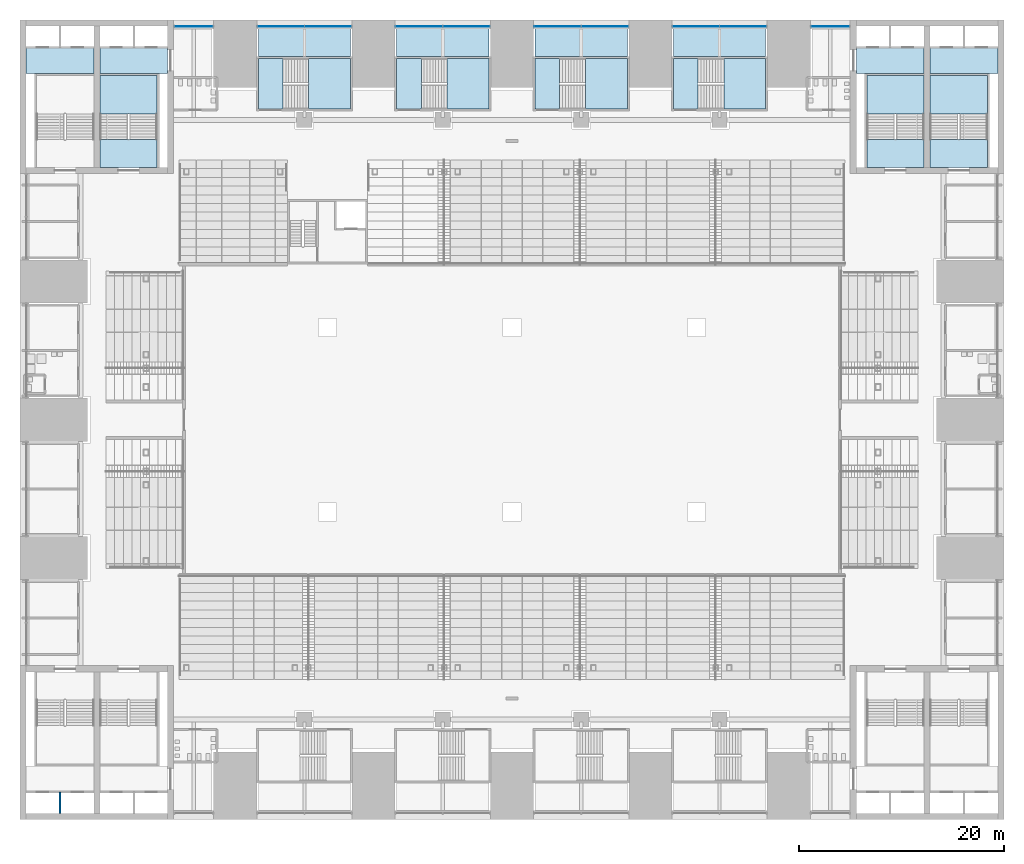
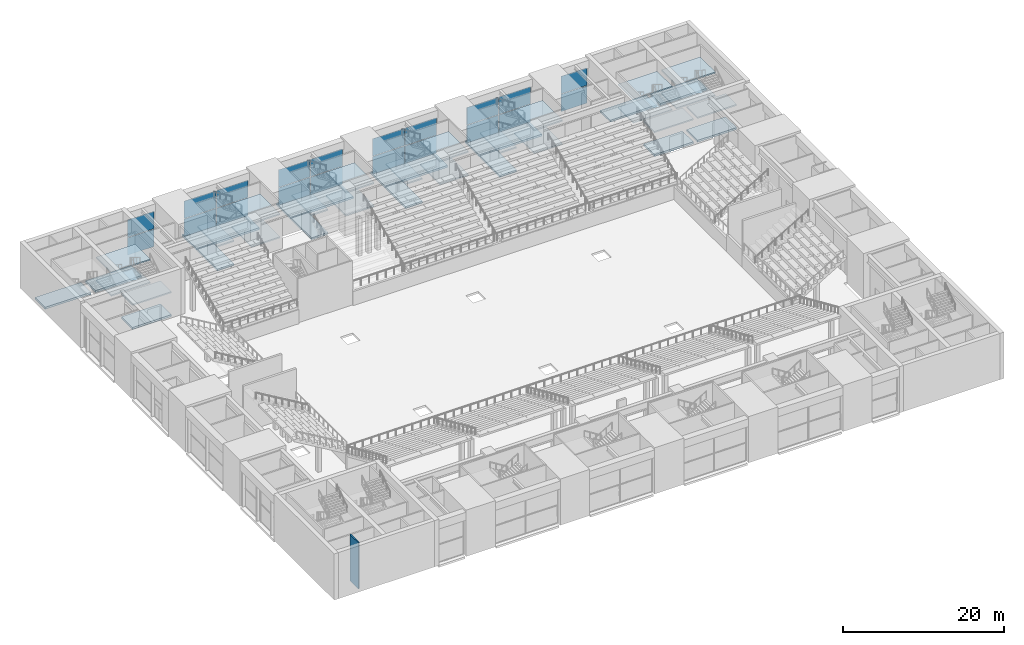
# One storey, part 34 of 62: 36 slabs, 20 plates, 1 wall, 13 elements without a shape of their own.
"""IFC4 building model written with IfcOpenShell, lengths in metres."""

from ifc_helpers import new_model, si_unit, direction, frame, frame_2d, origin, origin_2d, place, context, subcontext, project, spatial, polyline, rectangle, outline, extrude, material, layer, layer_set, type_object, element, aggregate, save


model = new_model("IFC4")

# Units and contexts
model_context = context("Model", 3, precision=1e-05, world=origin(), true_north=direction((0.0, 1.0)))
body_context = subcontext(model_context, "Body", "Model", "MODEL_VIEW")
ifc_project = project(units=[si_unit("LENGTHUNIT", "METRE"), si_unit("AREAUNIT", "SQUARE_METRE"), si_unit("VOLUMEUNIT", "CUBIC_METRE"), si_unit("PLANEANGLEUNIT", "RADIAN"), si_unit("MASSUNIT", "GRAM", prefix="KILO")], contexts=[model_context])

# Site, building, storey
site_placement = place(None, origin())
site = spatial("IfcSite", under=ifc_project, at=site_placement, CompositionType="ELEMENT")
building_placement = place(site_placement, origin())
building = spatial("IfcBuilding", under=site, at=building_placement, Name="Corbelhall Arena Tower", CompositionType="ELEMENT")
storey_placement = place(building_placement, frame((0.0, 0.0, 12.0)))
storey = spatial("IfcBuildingStorey", under=building, at=storey_placement, Name="L01", CompositionType="ELEMENT", Elevation=12.0)

# Stair, slabs
ifc_material_1 = material(Name="Reinforced concrete C40/50", Category="concrete")
stair_type = type_object("IfcStairType", Name="AR-EXIT-STAIR", PredefinedType="HALF_TURN_STAIR", material=ifc_material_1)
stair_1_placement = place(storey_placement, origin())
stair_1 = element("IfcStair", 1, at=stair_1_placement, inside=storey, type_object=stair_type, Name="L01 exit stair AS9", PredefinedType="HALF_TURN_STAIR")
ifc_layer_1 = layer(ifc_material_1, 0.199951171875)
ifc_layer_set_1 = layer_set([ifc_layer_1], Name="AR-EXIT-LANDING")
slab_type_1 = type_object("IfcSlabType", Name="AR-EXIT-LANDING", PredefinedType="LANDING", material=ifc_layer_set_1)
slab_1_placement = place(storey_placement, frame((0.0, 0.0, 1.550048828125)))
slab_1 = element("IfcSlab", 2, at=slab_1_placement, type_object=slab_type_1, Name="AS9 landing 1", PredefinedType="LANDING", context=body_context, shape_type="SweptSolid", body=[
    extrude(outline(polyline([(-19.830078125, 30.300048828125), (-15.75, 30.300048828125), (-15.75, 35.25), (-19.830078125, 35.25), (-19.830078125, 30.300048828125)])), origin(), (0.0, 0.0, 1.0), 0.199951171875),
])
slab_2_placement = place(storey_placement, frame((0.0, 0.0, 3.300048828125)))
slab_2 = element("IfcSlab", 3, at=slab_2_placement, type_object=slab_type_1, Name="AS9 landing 2", PredefinedType="LANDING", context=body_context, shape_type="SweptSolid", body=[
    extrude(outline(polyline([(-24.75, 30.300048828125), (-22.35009765625, 30.300048828125), (-22.35009765625, 35.25), (-24.75, 35.25), (-24.75, 30.300048828125)])), origin(), (0.0, 0.0, 1.0), 0.199951171875),
])
slab_3_placement = place(storey_placement, frame((0.0, 0.0, 5.050048828125)))
slab_3 = element("IfcSlab", 4, at=slab_3_placement, type_object=slab_type_1, Name="AS9 landing 3", PredefinedType="LANDING", context=body_context, shape_type="SweptSolid", body=[
    extrude(outline(polyline([(-19.830078125, 30.300048828125), (-15.75, 30.300048828125), (-15.75, 35.25), (-19.830078125, 35.25), (-19.830078125, 30.300048828125)])), origin(), (0.0, 0.0, 1.0), 0.199951171875),
])
aggregate(stair_1, [slab_1, slab_2, slab_3])

stair_2_placement = place(storey_placement, origin())
stair_2 = element("IfcStair", 5, at=stair_2_placement, inside=storey, type_object=stair_type, Name="L01 exit stair AS10", PredefinedType="HALF_TURN_STAIR")
slab_4_placement = place(storey_placement, frame((0.0, 0.0, 1.550048828125)))
slab_4 = element("IfcSlab", 6, at=slab_4_placement, type_object=slab_type_1, Name="AS10 landing 1", PredefinedType="LANDING", context=body_context, shape_type="SweptSolid", body=[
    extrude(outline(polyline([(-6.330078125, 30.300048828125), (-2.25, 30.300048828125), (-2.25, 35.25), (-6.330078125, 35.25), (-6.330078125, 30.300048828125)])), origin(), (0.0, 0.0, 1.0), 0.199951171875),
])
slab_5_placement = place(storey_placement, frame((0.0, 0.0, 3.300048828125)))
slab_5 = element("IfcSlab", 7, at=slab_5_placement, type_object=slab_type_1, Name="AS10 landing 2", PredefinedType="LANDING", context=body_context, shape_type="SweptSolid", body=[
    extrude(outline(polyline([(-11.25, 30.300048828125), (-8.85009765625, 30.300048828125), (-8.85009765625, 35.25), (-11.25, 35.25), (-11.25, 30.300048828125)])), origin(), (0.0, 0.0, 1.0), 0.199951171875),
])
slab_6_placement = place(storey_placement, frame((0.0, 0.0, 5.050048828125)))
slab_6 = element("IfcSlab", 8, at=slab_6_placement, type_object=slab_type_1, Name="AS10 landing 3", PredefinedType="LANDING", context=body_context, shape_type="SweptSolid", body=[
    extrude(outline(polyline([(-6.330078125, 30.300048828125), (-2.25, 30.300048828125), (-2.25, 35.25), (-6.330078125, 35.25), (-6.330078125, 30.300048828125)])), origin(), (0.0, 0.0, 1.0), 0.199951171875),
])
aggregate(stair_2, [slab_4, slab_5, slab_6])

stair_3_placement = place(storey_placement, origin())
stair_3 = element("IfcStair", 9, at=stair_3_placement, inside=storey, type_object=stair_type, Name="L01 exit stair AS11", PredefinedType="HALF_TURN_STAIR")
slab_7_placement = place(storey_placement, frame((0.0, 0.0, 1.550048828125)))
slab_7 = element("IfcSlab", 10, at=slab_7_placement, type_object=slab_type_1, Name="AS11 landing 1", PredefinedType="LANDING", context=body_context, shape_type="SweptSolid", body=[
    extrude(outline(polyline([(7.169921875, 30.300048828125), (11.25, 30.300048828125), (11.25, 35.25), (7.169921875, 35.25), (7.169921875, 30.300048828125)])), origin(), (0.0, 0.0, 1.0), 0.199951171875),
])
slab_8_placement = place(storey_placement, frame((0.0, 0.0, 3.300048828125)))
slab_8 = element("IfcSlab", 11, at=slab_8_placement, type_object=slab_type_1, Name="AS11 landing 2", PredefinedType="LANDING", context=body_context, shape_type="SweptSolid", body=[
    extrude(outline(polyline([(2.25, 30.300048828125), (4.64990234375, 30.300048828125), (4.64990234375, 35.25), (2.25, 35.25), (2.25, 30.300048828125)])), origin(), (0.0, 0.0, 1.0), 0.199951171875),
])
slab_9_placement = place(storey_placement, frame((0.0, 0.0, 5.050048828125)))
slab_9 = element("IfcSlab", 12, at=slab_9_placement, type_object=slab_type_1, Name="AS11 landing 3", PredefinedType="LANDING", context=body_context, shape_type="SweptSolid", body=[
    extrude(outline(polyline([(7.169921875, 30.300048828125), (11.25, 30.300048828125), (11.25, 35.25), (7.169921875, 35.25), (7.169921875, 30.300048828125)])), origin(), (0.0, 0.0, 1.0), 0.199951171875),
])
aggregate(stair_3, [slab_7, slab_8, slab_9])

stair_4_placement = place(storey_placement, origin())
stair_4 = element("IfcStair", 13, at=stair_4_placement, inside=storey, type_object=stair_type, Name="L01 exit stair AS12", PredefinedType="HALF_TURN_STAIR")
slab_10_placement = place(storey_placement, frame((0.0, 0.0, 1.550048828125)))
slab_10 = element("IfcSlab", 14, at=slab_10_placement, type_object=slab_type_1, Name="AS12 landing 1", PredefinedType="LANDING", context=body_context, shape_type="SweptSolid", body=[
    extrude(outline(polyline([(20.669921875, 30.300048828125), (24.75, 30.300048828125), (24.75, 35.25), (20.669921875, 35.25), (20.669921875, 30.300048828125)])), origin(), (0.0, 0.0, 1.0), 0.199951171875),
])
slab_11_placement = place(storey_placement, frame((0.0, 0.0, 3.300048828125)))
slab_11 = element("IfcSlab", 15, at=slab_11_placement, type_object=slab_type_1, Name="AS12 landing 2", PredefinedType="LANDING", context=body_context, shape_type="SweptSolid", body=[
    extrude(outline(polyline([(15.75, 30.300048828125), (18.14990234375, 30.300048828125), (18.14990234375, 35.25), (15.75, 35.25), (15.75, 30.300048828125)])), origin(), (0.0, 0.0, 1.0), 0.199951171875),
])
slab_12_placement = place(storey_placement, frame((0.0, 0.0, 5.050048828125)))
slab_12 = element("IfcSlab", 16, at=slab_12_placement, type_object=slab_type_1, Name="AS12 landing 3", PredefinedType="LANDING", context=body_context, shape_type="SweptSolid", body=[
    extrude(outline(polyline([(20.669921875, 30.300048828125), (24.75, 30.300048828125), (24.75, 35.25), (20.669921875, 35.25), (20.669921875, 30.300048828125)])), origin(), (0.0, 0.0, 1.0), 0.199951171875),
])
aggregate(stair_4, [slab_10, slab_11, slab_12])

stair_5_placement = place(storey_placement, origin())
stair_5 = element("IfcStair", 17, at=stair_5_placement, inside=storey, type_object=stair_type, Name="L01 exit stair AS1", PredefinedType="HALF_TURN_STAIR")
slab_13_placement = place(storey_placement, frame((0.0, 0.0, 1.550048828125)))
slab_13 = element("IfcSlab", 18, at=slab_13_placement, type_object=slab_type_1, Name="AS1 landing 1", PredefinedType="LANDING", context=body_context, shape_type="SweptSolid", body=[
    extrude(outline(polyline([(40.199951171875, 29.840087890625), (40.199951171875, 33.60009765625), (34.610107421875, 33.60009765625), (34.610107421875, 29.840087890625), (40.199951171875, 29.840087890625)])), origin(), (0.0, 0.0, 1.0), 0.199951171875),
])
slab_14_placement = place(storey_placement, frame((0.0, 0.0, 3.300048828125)))
slab_14 = element("IfcSlab", 19, at=slab_14_placement, type_object=slab_type_1, Name="AS1 landing 2", PredefinedType="LANDING", context=body_context, shape_type="SweptSolid", body=[
    extrude(outline(polyline([(40.199951171875, 24.60009765625), (40.199951171875, 27.320068359375), (34.610107421875, 27.320068359375), (34.610107421875, 24.60009765625), (40.199951171875, 24.60009765625)])), origin(), (0.0, 0.0, 1.0), 0.199951171875),
])
slab_15_placement = place(storey_placement, frame((0.0, 0.0, 5.050048828125)))
slab_15 = element("IfcSlab", 20, at=slab_15_placement, type_object=slab_type_1, Name="AS1 landing 3", PredefinedType="LANDING", context=body_context, shape_type="SweptSolid", body=[
    extrude(outline(polyline([(40.199951171875, 29.840087890625), (40.199951171875, 33.60009765625), (34.610107421875, 33.60009765625), (34.610107421875, 29.840087890625), (40.199951171875, 29.840087890625)])), origin(), (0.0, 0.0, 1.0), 0.199951171875),
])
aggregate(stair_5, [slab_13, slab_14, slab_15])

stair_6_placement = place(storey_placement, origin())
stair_6 = element("IfcStair", 21, at=stair_6_placement, inside=storey, type_object=stair_type, Name="L01 exit stair AS2", PredefinedType="HALF_TURN_STAIR")
slab_16_placement = place(storey_placement, frame((0.0, 0.0, 1.550048828125)))
slab_16 = element("IfcSlab", 22, at=slab_16_placement, type_object=slab_type_1, Name="AS2 landing 1", PredefinedType="LANDING", context=body_context, shape_type="SweptSolid", body=[
    extrude(outline(polyline([(46.389892578125, 29.840087890625), (46.389892578125, 33.60009765625), (40.800048828125, 33.60009765625), (40.800048828125, 29.840087890625), (46.389892578125, 29.840087890625)])), origin(), (0.0, 0.0, 1.0), 0.199951171875),
])
slab_17_placement = place(storey_placement, frame((0.0, 0.0, 3.300048828125)))
slab_17 = element("IfcSlab", 23, at=slab_17_placement, type_object=slab_type_1, Name="AS2 landing 2", PredefinedType="LANDING", context=body_context, shape_type="SweptSolid", body=[
    extrude(outline(polyline([(46.389892578125, 24.60009765625), (46.389892578125, 27.320068359375), (40.800048828125, 27.320068359375), (40.800048828125, 24.60009765625), (46.389892578125, 24.60009765625)])), origin(), (0.0, 0.0, 1.0), 0.199951171875),
])
slab_18_placement = place(storey_placement, frame((0.0, 0.0, 5.050048828125)))
slab_18 = element("IfcSlab", 24, at=slab_18_placement, type_object=slab_type_1, Name="AS2 landing 3", PredefinedType="LANDING", context=body_context, shape_type="SweptSolid", body=[
    extrude(outline(polyline([(46.389892578125, 29.840087890625), (46.389892578125, 33.60009765625), (40.800048828125, 33.60009765625), (40.800048828125, 29.840087890625), (46.389892578125, 29.840087890625)])), origin(), (0.0, 0.0, 1.0), 0.199951171875),
])
aggregate(stair_6, [slab_16, slab_17, slab_18])

stair_7_placement = place(storey_placement, origin())
stair_7 = element("IfcStair", 25, at=stair_7_placement, inside=storey, type_object=stair_type, Name="L01 exit stair AS3", PredefinedType="HALF_TURN_STAIR")
slab_19_placement = place(storey_placement, frame((0.0, 0.0, 1.550048828125)))
slab_19 = element("IfcSlab", 26, at=slab_19_placement, type_object=slab_type_1, Name="AS3 landing 1", PredefinedType="LANDING", context=body_context, shape_type="SweptSolid", body=[
    extrude(outline(polyline([(-34.610107421875, 29.840087890625), (-34.610107421875, 33.60009765625), (-40.199951171875, 33.60009765625), (-40.199951171875, 29.840087890625), (-34.610107421875, 29.840087890625)])), origin(), (0.0, 0.0, 1.0), 0.199951171875),
])
slab_20_placement = place(storey_placement, frame((0.0, 0.0, 3.300048828125)))
slab_20 = element("IfcSlab", 27, at=slab_20_placement, type_object=slab_type_1, Name="AS3 landing 2", PredefinedType="LANDING", context=body_context, shape_type="SweptSolid", body=[
    extrude(outline(polyline([(-34.610107421875, 24.60009765625), (-34.610107421875, 27.320068359375), (-40.199951171875, 27.320068359375), (-40.199951171875, 24.60009765625), (-34.610107421875, 24.60009765625)])), origin(), (0.0, 0.0, 1.0), 0.199951171875),
])
slab_21_placement = place(storey_placement, frame((0.0, 0.0, 5.050048828125)))
slab_21 = element("IfcSlab", 28, at=slab_21_placement, type_object=slab_type_1, Name="AS3 landing 3", PredefinedType="LANDING", context=body_context, shape_type="SweptSolid", body=[
    extrude(outline(polyline([(-34.610107421875, 29.840087890625), (-34.610107421875, 33.60009765625), (-40.199951171875, 33.60009765625), (-40.199951171875, 29.840087890625), (-34.610107421875, 29.840087890625)])), origin(), (0.0, 0.0, 1.0), 0.199951171875),
])
aggregate(stair_7, [slab_19, slab_20, slab_21])

# Slabs
ifc_layer_2 = layer(ifc_material_1, 0.300048828125)
ifc_layer_set_2 = layer_set([ifc_layer_2], Name="AR-STAIR-FLOOR")
slab_type_2 = type_object("IfcSlabType", Name="AR-STAIR-FLOOR", PredefinedType="FLOOR", material=ifc_layer_set_2)
slab_22_placement = place(storey_placement, frame((0.0, 0.0, -0.300048828125)))
element("IfcSlab", 29, at=slab_22_placement, inside=storey, type_object=slab_type_2, Name="Stair AS9 floor", PredefinedType="FLOOR", context=body_context, shape_type="SweptSolid", body=[
    extrude(outline(polyline([(-24.75, 30.300048828125), (-24.75, 35.25), (-22.346923828125, 35.25), (-22.346923828125, 30.300048828125), (-24.75, 30.300048828125)])), origin(), (0.0, 0.0, 1.0), 0.300048828125),
])
slab_23_placement = place(storey_placement, frame((0.0, 0.0, -0.300048828125)))
element("IfcSlab", 30, at=slab_23_placement, inside=storey, type_object=slab_type_2, Name="Stair AS10 floor", PredefinedType="FLOOR", context=body_context, shape_type="SweptSolid", body=[
    extrude(outline(polyline([(-11.25, 30.300048828125), (-11.25, 35.25), (-8.846923828125, 35.25), (-8.846923828125, 30.300048828125), (-11.25, 30.300048828125)])), origin(), (0.0, 0.0, 1.0), 0.300048828125),
])
slab_24_placement = place(storey_placement, frame((0.0, 0.0, -0.300048828125)))
element("IfcSlab", 31, at=slab_24_placement, inside=storey, type_object=slab_type_2, Name="Stair AS11 floor", PredefinedType="FLOOR", context=body_context, shape_type="SweptSolid", body=[
    extrude(outline(polyline([(2.25, 30.300048828125), (2.25, 35.25), (4.653076171875, 35.25), (4.653076171875, 30.300048828125), (2.25, 30.300048828125)])), origin(), (0.0, 0.0, 1.0), 0.300048828125),
])
slab_25_placement = place(storey_placement, frame((0.0, 0.0, -0.300048828125)))
element("IfcSlab", 32, at=slab_25_placement, inside=storey, type_object=slab_type_2, Name="Stair AS12 floor", PredefinedType="FLOOR", context=body_context, shape_type="SweptSolid", body=[
    extrude(outline(polyline([(15.75, 30.300048828125), (15.75, 35.25), (18.153076171875, 35.25), (18.153076171875, 30.300048828125), (15.75, 30.300048828125)])), origin(), (0.0, 0.0, 1.0), 0.300048828125),
])
slab_26_placement = place(storey_placement, frame((0.0, 0.0, -0.300048828125)))
element("IfcSlab", 33, at=slab_26_placement, inside=storey, type_object=slab_type_2, Name="Stair AS1 floor", PredefinedType="FLOOR", context=body_context, shape_type="SweptSolid", body=[
    extrude(outline(polyline([(40.199951171875, 24.60009765625), (34.610107421875, 24.60009765625), (34.610107421875, 27.322998046875), (40.199951171875, 27.322998046875), (40.199951171875, 24.60009765625)])), origin(), (0.0, 0.0, 1.0), 0.300048828125),
])
slab_27_placement = place(storey_placement, frame((0.0, 0.0, -0.300048828125)))
element("IfcSlab", 34, at=slab_27_placement, inside=storey, type_object=slab_type_2, Name="Stair AS2 floor", PredefinedType="FLOOR", context=body_context, shape_type="SweptSolid", body=[
    extrude(outline(polyline([(46.389892578125, 24.60009765625), (40.800048828125, 24.60009765625), (40.800048828125, 27.322998046875), (46.389892578125, 27.322998046875), (46.389892578125, 24.60009765625)])), origin(), (0.0, 0.0, 1.0), 0.300048828125),
])
slab_28_placement = place(storey_placement, frame((0.0, 0.0, -0.300048828125)))
element("IfcSlab", 35, at=slab_28_placement, inside=storey, type_object=slab_type_2, Name="Stair AS3 floor", PredefinedType="FLOOR", context=body_context, shape_type="SweptSolid", body=[
    extrude(outline(polyline([(-34.610107421875, 24.60009765625), (-40.199951171875, 24.60009765625), (-40.199951171875, 27.322998046875), (-34.610107421875, 27.322998046875), (-34.610107421875, 24.60009765625)])), origin(), (0.0, 0.0, 1.0), 0.300048828125),
])
slab_29_placement = place(storey_placement, frame((0.0, 0.0, -0.300048828125)))
element("IfcSlab", 36, at=slab_29_placement, inside=storey, type_object=slab_type_2, Name="Lift lobby floor NE", PredefinedType="FLOOR", context=body_context, shape_type="SweptSolid", body=[
    extrude(outline(polyline([(40.199951171875, 33.800048828125), (40.199951171875, 36.300048828125), (33.60009765625, 36.300048828125), (33.60009765625, 33.800048828125), (40.199951171875, 33.800048828125)])), origin(), (0.0, 0.0, 1.0), 0.300048828125),
])
slab_30_placement = place(storey_placement, frame((0.0, 0.0, -0.300048828125)))
element("IfcSlab", 37, at=slab_30_placement, inside=storey, type_object=slab_type_2, Name="Lift lobby floor NE", PredefinedType="FLOOR", context=body_context, shape_type="SweptSolid", body=[
    extrude(outline(polyline([(47.39990234375, 33.800048828125), (47.39990234375, 36.300048828125), (40.800048828125, 36.300048828125), (40.800048828125, 33.800048828125), (47.39990234375, 33.800048828125)])), origin(), (0.0, 0.0, 1.0), 0.300048828125),
])
slab_31_placement = place(storey_placement, frame((0.0, 0.0, -0.300048828125)))
element("IfcSlab", 38, at=slab_31_placement, inside=storey, type_object=slab_type_2, Name="Lift lobby floor NW", PredefinedType="FLOOR", context=body_context, shape_type="SweptSolid", body=[
    extrude(outline(polyline([(-40.800048828125, 33.800048828125), (-40.800048828125, 36.300048828125), (-47.39990234375, 36.300048828125), (-47.39990234375, 33.800048828125), (-40.800048828125, 33.800048828125)])), origin(), (0.0, 0.0, 1.0), 0.300048828125),
])
slab_32_placement = place(storey_placement, frame((0.0, 0.0, -0.300048828125)))
element("IfcSlab", 39, at=slab_32_placement, inside=storey, type_object=slab_type_2, Name="Lift lobby floor NW", PredefinedType="FLOOR", context=body_context, shape_type="SweptSolid", body=[
    extrude(outline(polyline([(-33.60009765625, 33.800048828125), (-33.60009765625, 36.300048828125), (-40.199951171875, 36.300048828125), (-40.199951171875, 33.800048828125), (-33.60009765625, 33.800048828125)])), origin(), (0.0, 0.0, 1.0), 0.300048828125),
])

# Curtain wall, plates
ifc_material_2 = material(Name="Aluminium black anodised", Category="aluminium")
ifc_layer_3 = layer(ifc_material_2, 0.239990234375)
ifc_layer_set_3 = layer_set([ifc_layer_3], Name="EV-CW4 Arena concourse glazing")
curtain_wall_type = type_object("IfcCurtainWallType", Name="EV-CW4 Arena concourse glazing", PredefinedType="NOTDEFINED", material=ifc_layer_set_3)
curtain_wall_1_placement = place(storey_placement, origin())
curtain_wall_1 = element("IfcCurtainWall", 40, at=curtain_wall_1_placement, inside=storey, type_object=curtain_wall_type, Name="Curtain wall CW4A", PredefinedType="NOTDEFINED")
ifc_material_3 = material(Name="Glass dark tinted laminated", Category="glass")
ifc_layer_4 = layer(ifc_material_3, 0.028076171875)
ifc_layer_set_4 = layer_set([ifc_layer_4], Name="EV-CW4-PANEL")
plate_type = type_object("IfcPlateType", Name="EV-CW4-PANEL", PredefinedType="CURTAIN_PANEL", material=ifc_layer_set_4)
plate_1_placement = place(storey_placement, frame((31.050048828125, 38.3798828125, 0.0751953125), z_axis=(0.0, 0.0, 1.0), x_axis=(-1.0, 0.0, 0.0)))
plate_1 = element("IfcPlate", 41, at=plate_1_placement, type_object=plate_type, Name="CW4A panel 1.1", PredefinedType="CURTAIN_PANEL", context=body_context, shape_type="SweptSolid", body=[
    extrude(rectangle(XDim=3.75, YDim=0.028076171875, at=origin_2d()), origin(), (0.0, 0.0, 1.0), 2.637451171875),
])
plate_2_placement = place(storey_placement, frame((31.050048828125, 38.3798828125, 2.78759765625), z_axis=(0.0, 0.0, 1.0), x_axis=(-1.0, 0.0, 0.0)))
plate_2 = element("IfcPlate", 42, at=plate_2_placement, type_object=plate_type, Name="CW4A panel 1.2", PredefinedType="CURTAIN_PANEL", context=body_context, shape_type="SweptSolid", body=[
    extrude(rectangle(XDim=3.75, YDim=0.028076171875, at=origin_2d()), origin(), (0.0, 0.0, 1.0), 2.637451171875),
])
aggregate(curtain_wall_1, [plate_1, plate_2])

curtain_wall_2_placement = place(storey_placement, origin())
curtain_wall_2 = element("IfcCurtainWall", 43, at=curtain_wall_2_placement, inside=storey, type_object=curtain_wall_type, Name="Curtain wall CW4", PredefinedType="NOTDEFINED")
plate_3_placement = place(storey_placement, frame((22.55615234375, 38.3798828125, 0.0751953125), z_axis=(0.0, 0.0, 1.0), x_axis=(-1.0, 0.0, 0.0)))
plate_3 = element("IfcPlate", 44, at=plate_3_placement, type_object=plate_type, Name="CW4 panel 1.1", PredefinedType="CURTAIN_PANEL", context=body_context, shape_type="SweptSolid", body=[
    extrude(rectangle(XDim=4.53759765625, YDim=0.028076171875, at=origin_2d()), origin(), (0.0, 0.0, 1.0), 2.637451171875),
])
plate_4_placement = place(storey_placement, frame((22.55615234375, 38.3798828125, 2.78759765625), z_axis=(0.0, 0.0, 1.0), x_axis=(-1.0, 0.0, 0.0)))
plate_4 = element("IfcPlate", 45, at=plate_4_placement, type_object=plate_type, Name="CW4 panel 1.2", PredefinedType="CURTAIN_PANEL", context=body_context, shape_type="SweptSolid", body=[
    extrude(rectangle(XDim=4.53759765625, YDim=0.028076171875, at=origin_2d()), origin(), (0.0, 0.0, 1.0), 2.637451171875),
])
plate_5_placement = place(storey_placement, frame((17.94384765625, 38.3798828125, 0.0751953125), z_axis=(0.0, 0.0, 1.0), x_axis=(-1.0, 0.0, 0.0)))
plate_5 = element("IfcPlate", 46, at=plate_5_placement, type_object=plate_type, Name="CW4 panel 2.1", PredefinedType="CURTAIN_PANEL", context=body_context, shape_type="SweptSolid", body=[
    extrude(rectangle(XDim=4.53759765625, YDim=0.028076171875, at=origin_2d()), origin(), (0.0, 0.0, 1.0), 2.637451171875),
])
plate_6_placement = place(storey_placement, frame((17.94384765625, 38.3798828125, 2.78759765625), z_axis=(0.0, 0.0, 1.0), x_axis=(-1.0, 0.0, 0.0)))
plate_6 = element("IfcPlate", 47, at=plate_6_placement, type_object=plate_type, Name="CW4 panel 2.2", PredefinedType="CURTAIN_PANEL", context=body_context, shape_type="SweptSolid", body=[
    extrude(rectangle(XDim=4.53759765625, YDim=0.028076171875, at=origin_2d()), origin(), (0.0, 0.0, 1.0), 2.637451171875),
])
aggregate(curtain_wall_2, [plate_3, plate_4, plate_5, plate_6])

curtain_wall_3_placement = place(storey_placement, origin())
curtain_wall_3 = element("IfcCurtainWall", 48, at=curtain_wall_3_placement, inside=storey, type_object=curtain_wall_type, Name="Curtain wall CW4", PredefinedType="NOTDEFINED")
plate_7_placement = place(storey_placement, frame((9.05615234375, 38.3798828125, 0.0751953125), z_axis=(0.0, 0.0, 1.0), x_axis=(-1.0, 0.0, 0.0)))
plate_7 = element("IfcPlate", 49, at=plate_7_placement, type_object=plate_type, Name="CW4 panel 1.1", PredefinedType="CURTAIN_PANEL", context=body_context, shape_type="SweptSolid", body=[
    extrude(rectangle(XDim=4.53759765625, YDim=0.028076171875, at=origin_2d()), origin(), (0.0, 0.0, 1.0), 2.637451171875),
])
plate_8_placement = place(storey_placement, frame((9.05615234375, 38.3798828125, 2.78759765625), z_axis=(0.0, 0.0, 1.0), x_axis=(-1.0, 0.0, 0.0)))
plate_8 = element("IfcPlate", 50, at=plate_8_placement, type_object=plate_type, Name="CW4 panel 1.2", PredefinedType="CURTAIN_PANEL", context=body_context, shape_type="SweptSolid", body=[
    extrude(rectangle(XDim=4.53759765625, YDim=0.028076171875, at=origin_2d()), origin(), (0.0, 0.0, 1.0), 2.637451171875),
])
plate_9_placement = place(storey_placement, frame((4.44384765625, 38.3798828125, 0.0751953125), z_axis=(0.0, 0.0, 1.0), x_axis=(-1.0, 0.0, 0.0)))
plate_9 = element("IfcPlate", 51, at=plate_9_placement, type_object=plate_type, Name="CW4 panel 2.1", PredefinedType="CURTAIN_PANEL", context=body_context, shape_type="SweptSolid", body=[
    extrude(rectangle(XDim=4.53759765625, YDim=0.028076171875, at=origin_2d()), origin(), (0.0, 0.0, 1.0), 2.637451171875),
])
plate_10_placement = place(storey_placement, frame((4.44384765625, 38.3798828125, 2.78759765625), z_axis=(0.0, 0.0, 1.0), x_axis=(-1.0, 0.0, 0.0)))
plate_10 = element("IfcPlate", 52, at=plate_10_placement, type_object=plate_type, Name="CW4 panel 2.2", PredefinedType="CURTAIN_PANEL", context=body_context, shape_type="SweptSolid", body=[
    extrude(rectangle(XDim=4.53759765625, YDim=0.028076171875, at=origin_2d()), origin(), (0.0, 0.0, 1.0), 2.637451171875),
])
aggregate(curtain_wall_3, [plate_7, plate_8, plate_9, plate_10])

curtain_wall_4_placement = place(storey_placement, origin())
curtain_wall_4 = element("IfcCurtainWall", 53, at=curtain_wall_4_placement, inside=storey, type_object=curtain_wall_type, Name="Curtain wall CW4", PredefinedType="NOTDEFINED")
plate_11_placement = place(storey_placement, frame((-4.44384765625, 38.3798828125, 0.0751953125), z_axis=(0.0, 0.0, 1.0), x_axis=(-1.0, 0.0, 0.0)))
plate_11 = element("IfcPlate", 54, at=plate_11_placement, type_object=plate_type, Name="CW4 panel 1.1", PredefinedType="CURTAIN_PANEL", context=body_context, shape_type="SweptSolid", body=[
    extrude(rectangle(XDim=4.53759765625, YDim=0.028076171875, at=origin_2d()), origin(), (0.0, 0.0, 1.0), 2.637451171875),
])
plate_12_placement = place(storey_placement, frame((-4.44384765625, 38.3798828125, 2.78759765625), z_axis=(0.0, 0.0, 1.0), x_axis=(-1.0, 0.0, 0.0)))
plate_12 = element("IfcPlate", 55, at=plate_12_placement, type_object=plate_type, Name="CW4 panel 1.2", PredefinedType="CURTAIN_PANEL", context=body_context, shape_type="SweptSolid", body=[
    extrude(rectangle(XDim=4.53759765625, YDim=0.028076171875, at=origin_2d()), origin(), (0.0, 0.0, 1.0), 2.637451171875),
])
plate_13_placement = place(storey_placement, frame((-9.05615234375, 38.3798828125, 0.0751953125), z_axis=(0.0, 0.0, 1.0), x_axis=(-1.0, 0.0, 0.0)))
plate_13 = element("IfcPlate", 56, at=plate_13_placement, type_object=plate_type, Name="CW4 panel 2.1", PredefinedType="CURTAIN_PANEL", context=body_context, shape_type="SweptSolid", body=[
    extrude(rectangle(XDim=4.53759765625, YDim=0.028076171875, at=origin_2d()), origin(), (0.0, 0.0, 1.0), 2.637451171875),
])
plate_14_placement = place(storey_placement, frame((-9.05615234375, 38.3798828125, 2.78759765625), z_axis=(0.0, 0.0, 1.0), x_axis=(-1.0, 0.0, 0.0)))
plate_14 = element("IfcPlate", 57, at=plate_14_placement, type_object=plate_type, Name="CW4 panel 2.2", PredefinedType="CURTAIN_PANEL", context=body_context, shape_type="SweptSolid", body=[
    extrude(rectangle(XDim=4.53759765625, YDim=0.028076171875, at=origin_2d()), origin(), (0.0, 0.0, 1.0), 2.637451171875),
])
aggregate(curtain_wall_4, [plate_11, plate_12, plate_13, plate_14])

curtain_wall_5_placement = place(storey_placement, origin())
curtain_wall_5 = element("IfcCurtainWall", 58, at=curtain_wall_5_placement, inside=storey, type_object=curtain_wall_type, Name="Curtain wall CW4", PredefinedType="NOTDEFINED")
plate_15_placement = place(storey_placement, frame((-17.94384765625, 38.3798828125, 0.0751953125), z_axis=(0.0, 0.0, 1.0), x_axis=(-1.0, 0.0, 0.0)))
plate_15 = element("IfcPlate", 59, at=plate_15_placement, type_object=plate_type, Name="CW4 panel 1.1", PredefinedType="CURTAIN_PANEL", context=body_context, shape_type="SweptSolid", body=[
    extrude(rectangle(XDim=4.53759765625, YDim=0.028076171875, at=origin_2d()), origin(), (0.0, 0.0, 1.0), 2.637451171875),
])
plate_16_placement = place(storey_placement, frame((-17.94384765625, 38.3798828125, 2.78759765625), z_axis=(0.0, 0.0, 1.0), x_axis=(-1.0, 0.0, 0.0)))
plate_16 = element("IfcPlate", 60, at=plate_16_placement, type_object=plate_type, Name="CW4 panel 1.2", PredefinedType="CURTAIN_PANEL", context=body_context, shape_type="SweptSolid", body=[
    extrude(rectangle(XDim=4.53759765625, YDim=0.028076171875, at=origin_2d()), origin(), (0.0, 0.0, 1.0), 2.637451171875),
])
plate_17_placement = place(storey_placement, frame((-22.55615234375, 38.3798828125, 0.0751953125), z_axis=(0.0, 0.0, 1.0), x_axis=(-1.0, 0.0, 0.0)))
plate_17 = element("IfcPlate", 61, at=plate_17_placement, type_object=plate_type, Name="CW4 panel 2.1", PredefinedType="CURTAIN_PANEL", context=body_context, shape_type="SweptSolid", body=[
    extrude(rectangle(XDim=4.53759765625, YDim=0.028076171875, at=origin_2d()), origin(), (0.0, 0.0, 1.0), 2.637451171875),
])
plate_18_placement = place(storey_placement, frame((-22.55615234375, 38.3798828125, 2.78759765625), z_axis=(0.0, 0.0, 1.0), x_axis=(-1.0, 0.0, 0.0)))
plate_18 = element("IfcPlate", 62, at=plate_18_placement, type_object=plate_type, Name="CW4 panel 2.2", PredefinedType="CURTAIN_PANEL", context=body_context, shape_type="SweptSolid", body=[
    extrude(rectangle(XDim=4.53759765625, YDim=0.028076171875, at=origin_2d()), origin(), (0.0, 0.0, 1.0), 2.637451171875),
])
aggregate(curtain_wall_5, [plate_15, plate_16, plate_17, plate_18])

curtain_wall_6_placement = place(storey_placement, origin())
curtain_wall_6 = element("IfcCurtainWall", 63, at=curtain_wall_6_placement, inside=storey, type_object=curtain_wall_type, Name="Curtain wall CW4A", PredefinedType="NOTDEFINED")
plate_19_placement = place(storey_placement, frame((-31.050048828125, 38.3798828125, 0.0751953125), z_axis=(0.0, 0.0, 1.0), x_axis=(-1.0, 0.0, 0.0)))
plate_19 = element("IfcPlate", 64, at=plate_19_placement, type_object=plate_type, Name="CW4A panel 1.1", PredefinedType="CURTAIN_PANEL", context=body_context, shape_type="SweptSolid", body=[
    extrude(rectangle(XDim=3.75, YDim=0.028076171875, at=origin_2d()), origin(), (0.0, 0.0, 1.0), 2.637451171875),
])
plate_20_placement = place(storey_placement, frame((-31.050048828125, 38.3798828125, 2.78759765625), z_axis=(0.0, 0.0, 1.0), x_axis=(-1.0, 0.0, 0.0)))
plate_20 = element("IfcPlate", 65, at=plate_20_placement, type_object=plate_type, Name="CW4A panel 1.2", PredefinedType="CURTAIN_PANEL", context=body_context, shape_type="SweptSolid", body=[
    extrude(rectangle(XDim=3.75, YDim=0.028076171875, at=origin_2d()), origin(), (0.0, 0.0, 1.0), 2.637451171875),
])
aggregate(curtain_wall_6, [plate_19, plate_20])

# Slabs
ifc_material_4 = material(Name="Concrete C32/40", Category="concrete")
ifc_layer_5 = layer(ifc_material_4, 0.300048828125)
ifc_layer_set_5 = layer_set([ifc_layer_5], Name="PO-FLOOR-SLAB")
slab_type_3 = type_object("IfcSlabType", Name="PO-FLOOR-SLAB", PredefinedType="FLOOR", material=ifc_layer_set_5)
slab_33_placement = place(storey_placement, frame((0.0, 0.0, -0.300048828125)))
element("IfcSlab", 66, at=slab_33_placement, inside=storey, type_object=slab_type_3, Name="FLOOR SLAB L01 2", PredefinedType="FLOOR", context=body_context, shape_type="SweptSolid", body=[
    extrude(outline(polyline([(-15.75, 39.0), (-15.75, 35.449951171875), (-24.75, 35.449951171875), (-24.75, 39.0), (-15.75, 39.0)])), origin(), (0.0, 0.0, 1.0), 0.300048828125),
])
slab_34_placement = place(storey_placement, frame((0.0, 0.0, -0.300048828125)))
element("IfcSlab", 67, at=slab_34_placement, inside=storey, type_object=slab_type_3, Name="FLOOR SLAB L01 4", PredefinedType="FLOOR", context=body_context, shape_type="SweptSolid", body=[
    extrude(outline(polyline([(-2.25, 39.0), (-2.25, 35.449951171875), (-11.25, 35.449951171875), (-11.25, 39.0), (-2.25, 39.0)])), origin(), (0.0, 0.0, 1.0), 0.300048828125),
])
slab_35_placement = place(storey_placement, frame((0.0, 0.0, -0.300048828125)))
element("IfcSlab", 68, at=slab_35_placement, inside=storey, type_object=slab_type_3, Name="FLOOR SLAB L01 7", PredefinedType="FLOOR", context=body_context, shape_type="SweptSolid", body=[
    extrude(outline(polyline([(11.25, 39.0), (11.25, 35.449951171875), (2.25, 35.449951171875), (2.25, 39.0), (11.25, 39.0)])), origin(), (0.0, 0.0, 1.0), 0.300048828125),
])
slab_36_placement = place(storey_placement, frame((0.0, 0.0, -0.300048828125)))
element("IfcSlab", 69, at=slab_36_placement, inside=storey, type_object=slab_type_3, Name="FLOOR SLAB L01 9", PredefinedType="FLOOR", context=body_context, shape_type="SweptSolid", body=[
    extrude(outline(polyline([(24.75, 39.0), (24.75, 35.449951171875), (15.75, 35.449951171875), (15.75, 39.0), (24.75, 39.0)])), origin(), (0.0, 0.0, 1.0), 0.300048828125),
])

# Wall
ifc_layer_6 = layer(ifc_material_1, 0.199951171875)
ifc_layer_set_6 = layer_set([ifc_layer_6], Name="AR-SHAFT-WALL")
wall_type = type_object("IfcWallType", Name="AR-SHAFT-WALL", PredefinedType="SHEAR", material=ifc_layer_set_6)
wall_placement = place(storey_placement, frame((-44.10009765625, -38.39990234375, 0.0), z_axis=(0.0, 0.0, 1.0), x_axis=(0.0, 1.0, 0.0)))
element("IfcWall", 70, at=wall_placement, inside=storey, type_object=wall_type, Name="Shaft wall SW", PredefinedType="SHEAR", context=body_context, shape_type="SweptSolid", body=[
    extrude(rectangle(XDim=2.099853515625, YDim=0.199951171875, at=frame_2d((1.0498046875, 0.0))), origin(), (0.0, 0.0, 1.0), 7.0),
])

save(model, "model.ifc")
